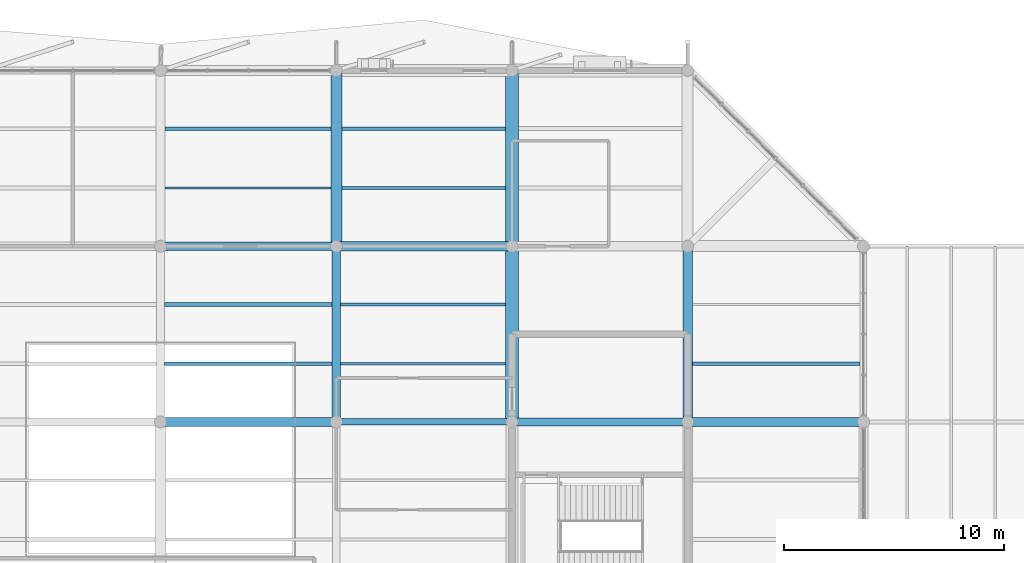
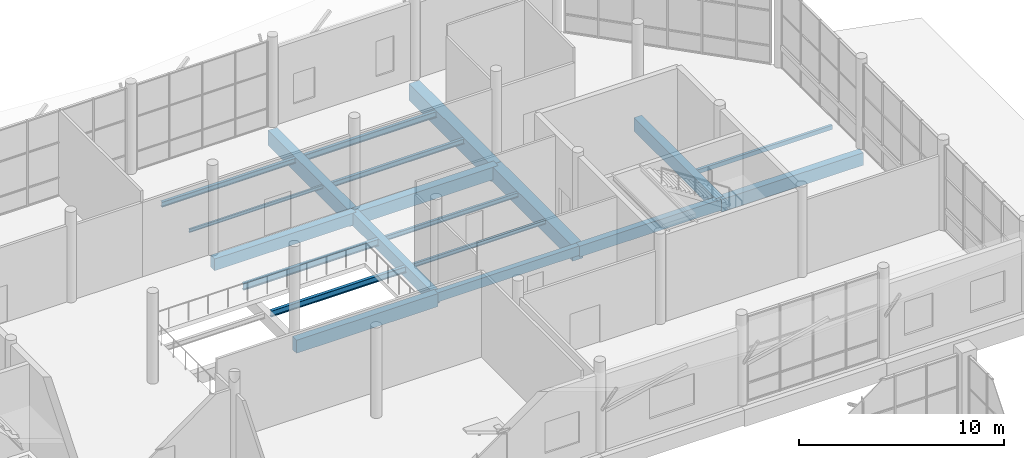
# One storey, part 62 of 122: 20 beams.
"""IFC4 building model written with IfcOpenShell, lengths in metres."""

from ifc_helpers import new_model, si_unit, direction, frame, origin, origin_2d, place, context, subcontext, project, spatial, rectangle, hollow_rectangle, i_section, extrude, material, material_profile, profile_set, type_object, element, save


model = new_model("IFC4")

# Units and contexts
model_context = context("Model", 3, precision=1e-05, world=origin(), true_north=direction((0.0, 1.0)))
body_context = subcontext(model_context, "Body", "Model", "MODEL_VIEW")
ifc_project = project(units=[si_unit("LENGTHUNIT", "METRE"), si_unit("AREAUNIT", "SQUARE_METRE"), si_unit("VOLUMEUNIT", "CUBIC_METRE"), si_unit("PLANEANGLEUNIT", "RADIAN"), si_unit("MASSUNIT", "GRAM", prefix="KILO")], contexts=[model_context])

# Site, building, storey
site_placement = place(None, origin())
site = spatial("IfcSite", under=ifc_project, at=site_placement, CompositionType="ELEMENT")
building_placement = place(site_placement, origin())
building = spatial("IfcBuilding", under=site, at=building_placement, Name="Tenunan Teduh Sports Hall", CompositionType="ELEMENT")
storey_placement = place(building_placement, frame((0.0, 0.0, 5.39990234375)))
storey = spatial("IfcBuildingStorey", under=building, at=storey_placement, Name="L01", CompositionType="ELEMENT", Elevation=5.39990234375)

# Beams
ifc_material_1 = material(Name="Concrete C40/50", Category="concrete")
ifc_material_profile_1 = material_profile(ifc_material_1, rectangle(XDim=0.300048828125, YDim=0.550048828125, at=origin_2d()), Name="RCB 300x550")
ifc_profile_set_1 = profile_set([ifc_material_profile_1], Name="Concrete C40/50")
beam_type_1 = type_object("IfcBeamType", Name="BM-RC-300x550", PredefinedType="BEAM", material=ifc_profile_set_1)
beam_1_placement = place(storey_placement, frame((138.0, 102.0, -0.534912109375), z_axis=(1.0, 0.0, 0.0), x_axis=(0.0, 1.0, 0.0)))
element("IfcBeam", 1, at=beam_1_placement, inside=storey, type_object=beam_type_1, Name="BM-B-02-L01-1152", PredefinedType="BEAM", context=body_context, shape_type="SweptSolid", body=[
    extrude(rectangle(XDim=0.300048828125, YDim=0.550048828125, at=origin_2d()), origin(), (0.0, 0.0, 1.0), 8.0),
])
ifc_material_2 = material(Name="Concrete C40/50", Category="concrete")
ifc_material_profile_2 = material_profile(ifc_material_2, rectangle(XDim=0.35009765625, YDim=0.64990234375, at=origin_2d()), Name="RCB 350x650")
ifc_profile_set_2 = profile_set([ifc_material_profile_2], Name="Concrete C40/50")
beam_type_2 = type_object("IfcBeamType", Name="BM-RC-350x650", PredefinedType="BEAM", material=ifc_profile_set_2)
beam_2_placement = place(storey_placement, frame((146.0, 102.0, -0.5849609375), z_axis=(1.0, 0.0, 0.0), x_axis=(0.0, 1.0, 0.0)))
element("IfcBeam", 2, at=beam_2_placement, inside=storey, type_object=beam_type_2, Name="BM-B-05-L01-1153", PredefinedType="BEAM", context=body_context, shape_type="SweptSolid", body=[
    extrude(rectangle(XDim=0.35009765625, YDim=0.64990234375, at=origin_2d()), origin(), (0.0, 0.0, 1.0), 8.0),
])
ifc_material_3 = material(Name="Concrete C40/50", Category="concrete")
ifc_material_profile_3 = material_profile(ifc_material_3, rectangle(XDim=0.39990234375, YDim=0.699951171875, at=origin_2d()), Name="RCB 400x700")
ifc_profile_set_3 = profile_set([ifc_material_profile_3], Name="Concrete C40/50")
beam_type_3 = type_object("IfcBeamType", Name="BM-RC-400x700", PredefinedType="BEAM", material=ifc_profile_set_3)
beam_3_placement = place(storey_placement, frame((130.0, 110.0, -0.60986328125), z_axis=(1.0, 0.0, 0.0), x_axis=(0.0, 1.0, 0.0)))
element("IfcBeam", 3, at=beam_3_placement, inside=storey, type_object=beam_type_3, Name="BM-B-08-L01-1168", PredefinedType="BEAM", context=body_context, shape_type="SweptSolid", body=[
    extrude(rectangle(XDim=0.39990234375, YDim=0.699951171875, at=origin_2d()), origin(), (0.0, 0.0, 1.0), 8.0),
])
ifc_material_4 = material(Name="Concrete C40/50", Category="concrete")
ifc_material_profile_4 = material_profile(ifc_material_4, rectangle(XDim=0.39990234375, YDim=0.75, at=origin_2d()), Name="RCB 400x750")
ifc_profile_set_4 = profile_set([ifc_material_profile_4], Name="Concrete C40/50")
beam_type_4 = type_object("IfcBeamType", Name="BM-RC-400x750", PredefinedType="BEAM", material=ifc_profile_set_4)
for number, where, z_axis, x_axis, name in (
    (4, (154.0, 102.0, -0.635009765625), (1.0, 0.0, 0.0), (0.0, 1.0, 0.0), "BM-B-09-L01-1154"),
    (5, (138.0, 102.0, -0.635009765625), (0.0, 1.0, 0.0), (-1.0, 0.0, 0.0), "BM-B-09-L01-1283"),
):
    element("IfcBeam", number, at=place(storey_placement, frame(where, z_axis=z_axis, x_axis=x_axis)), inside=storey, type_object=beam_type_4, Name=name, PredefinedType="BEAM", context=body_context, shape_type="SweptSolid", body=[
        extrude(rectangle(XDim=0.39990234375, YDim=0.75, at=origin_2d()), origin(), (0.0, 0.0, 1.0), 8.0),
    ])
ifc_material_5 = material(Name="Concrete C40/50", Category="concrete")
ifc_material_profile_5 = material_profile(ifc_material_5, rectangle(XDim=0.449951171875, YDim=0.75, at=origin_2d()), Name="RCB 450x750")
ifc_profile_set_5 = profile_set([ifc_material_profile_5], Name="Concrete C40/50")
beam_type_5 = type_object("IfcBeamType", Name="BM-RC-450x750", PredefinedType="BEAM", material=ifc_profile_set_5)
beam_4_placement = place(storey_placement, frame((138.0, 110.0, -0.635009765625), z_axis=(1.0, 0.0, 0.0), x_axis=(0.0, 1.0, 0.0)))
element("IfcBeam", 6, at=beam_4_placement, inside=storey, type_object=beam_type_5, Name="BM-B-11-L01-1169", PredefinedType="BEAM", context=body_context, shape_type="SweptSolid", body=[
    extrude(rectangle(XDim=0.449951171875, YDim=0.75, at=origin_2d()), origin(), (0.0, 0.0, 1.0), 8.0),
])
ifc_material_6 = material(Name="Concrete C40/50", Category="concrete")
ifc_material_profile_6 = material_profile(ifc_material_6, rectangle(XDim=0.449951171875, YDim=0.800048828125, at=origin_2d()), Name="RCB 450x800")
ifc_profile_set_6 = profile_set([ifc_material_profile_6], Name="Concrete C40/50")
beam_type_6 = type_object("IfcBeamType", Name="BM-RC-450x800", PredefinedType="BEAM", material=ifc_profile_set_6)
beam_5_placement = place(storey_placement, frame((154.0, 102.0, -0.659912109375), z_axis=(0.0, 1.0, 0.0), x_axis=(-1.0, 0.0, 0.0)))
element("IfcBeam", 7, at=beam_5_placement, inside=storey, type_object=beam_type_6, Name="BM-B-12-L01-1299", PredefinedType="BEAM", context=body_context, shape_type="SweptSolid", body=[
    extrude(rectangle(XDim=0.449951171875, YDim=0.800048828125, at=origin_2d()), origin(), (0.0, 0.0, 1.0), 8.0),
])
ifc_material_7 = material(Name="Concrete C40/50", Category="concrete")
ifc_material_profile_7 = material_profile(ifc_material_7, rectangle(XDim=0.5, YDim=0.89990234375, at=origin_2d()), Name="RCB 500x900")
ifc_profile_set_7 = profile_set([ifc_material_profile_7], Name="Concrete C40/50")
beam_type_7 = type_object("IfcBeamType", Name="BM-RC-500x900", PredefinedType="BEAM", material=ifc_profile_set_7)
beam_6_placement = place(storey_placement, frame((138.0, 110.0, -0.7099609375), z_axis=(0.0, 1.0, 0.0), x_axis=(-1.0, 0.0, 0.0)))
element("IfcBeam", 8, at=beam_6_placement, inside=storey, type_object=beam_type_7, Name="BM-B-15-L01-1284", PredefinedType="BEAM", context=body_context, shape_type="SweptSolid", body=[
    extrude(rectangle(XDim=0.5, YDim=0.89990234375, at=origin_2d()), origin(), (0.0, 0.0, 1.0), 8.0),
])
ifc_material_8 = material(Name="Concrete C40/50", Category="concrete")
ifc_material_profile_8 = material_profile(ifc_material_8, rectangle(XDim=0.60009765625, YDim=1.0, at=origin_2d()), Name="RCB 600x1000")
ifc_profile_set_8 = profile_set([ifc_material_profile_8], Name="Concrete C40/50")
beam_type_8 = type_object("IfcBeamType", Name="BM-RC-600x1000", PredefinedType="BEAM", material=ifc_profile_set_8)
beam_7_placement = place(storey_placement, frame((146.0, 110.0, -0.760009765625), z_axis=(0.0, 1.0, 0.0), x_axis=(-1.0, 0.0, 0.0)))
element("IfcBeam", 9, at=beam_7_placement, inside=storey, type_object=beam_type_8, Name="BM-B-18-L01-1292", PredefinedType="BEAM", context=body_context, shape_type="SweptSolid", body=[
    extrude(rectangle(XDim=0.60009765625, YDim=1.0, at=origin_2d()), origin(), (0.0, 0.0, 1.0), 8.0),
])
ifc_material_9 = material(Name="Concrete C40/50", Category="concrete")
ifc_material_profile_9 = material_profile(ifc_material_9, rectangle(XDim=0.60009765625, YDim=0.89990234375, at=origin_2d()), Name="RCB 600x900")
ifc_profile_set_9 = profile_set([ifc_material_profile_9], Name="Concrete C40/50")
beam_type_9 = type_object("IfcBeamType", Name="BM-RC-600x900", PredefinedType="BEAM", material=ifc_profile_set_9)
beam_8_placement = place(storey_placement, frame((146.0, 102.0, -0.7099609375), z_axis=(0.0, 1.0, 0.0), x_axis=(-1.0, 0.0, 0.0)))
element("IfcBeam", 10, at=beam_8_placement, inside=storey, type_object=beam_type_9, Name="BM-B-17-L01-1291", PredefinedType="BEAM", context=body_context, shape_type="SweptSolid", body=[
    extrude(rectangle(XDim=0.60009765625, YDim=0.89990234375, at=origin_2d()), origin(), (0.0, 0.0, 1.0), 8.0),
])
ifc_material_10 = material(Name="Concrete C40/50", Category="concrete")
ifc_material_profile_10 = material_profile(ifc_material_10, rectangle(XDim=0.39990234375, YDim=0.780029296875, at=origin_2d()), Name="TB 400x780")
ifc_profile_set_10 = profile_set([ifc_material_profile_10], Name="Concrete C40/50")
beam_type_10 = type_object("IfcBeamType", Name="BM-TB-400x780", PredefinedType="T_BEAM", material=ifc_profile_set_10)
beam_9_placement = place(storey_placement, frame((130.0, 102.0, -0.64990234375), z_axis=(1.0, 0.0, 0.0), x_axis=(0.0, 1.0, 0.0)))
element("IfcBeam", 11, at=beam_9_placement, inside=storey, type_object=beam_type_10, Name="BM-TB-02-L01-1151", PredefinedType="T_BEAM", context=body_context, shape_type="SweptSolid", body=[
    extrude(rectangle(XDim=0.39990234375, YDim=0.780029296875, at=origin_2d()), origin(), (0.0, 0.0, 1.0), 8.0),
])
ifc_material_11 = material(Name="Steel S355", Category="steel")
ifc_material_profile_11 = material_profile(ifc_material_11, i_section(OverallWidth=0.10009765625, OverallDepth=0.199951171875, WebThickness=0.005615234375, FlangeThickness=0.008544921875, FilletRadius=0.011962890625, at=origin_2d()), Name="IPE 200")
ifc_profile_set_11 = profile_set([ifc_material_profile_11], Name="Steel S355")
beam_type_11 = type_object("IfcBeamType", Name="JST-IPE200", PredefinedType="JOIST", material=ifc_profile_set_11)
beam_10_placement = place(storey_placement, frame((130.199951171875, 112.64990234375, -0.35986328125), z_axis=(1.0, 0.0, 0.0), x_axis=(0.0, 1.0, 0.0)))
element("IfcBeam", 12, at=beam_10_placement, inside=storey, type_object=beam_type_11, Name="BM-J-01-L01-1424", PredefinedType="JOIST", context=body_context, shape_type="SweptSolid", body=[
    extrude(i_section(OverallWidth=0.10009765625, OverallDepth=0.199951171875, WebThickness=0.005615234375, FlangeThickness=0.008544921875, FilletRadius=0.011962890625, at=origin_2d()), origin(), (0.0, 0.0, 1.0), 7.550048828125),
])
ifc_material_12 = material(Name="Steel S355", Category="steel")
ifc_material_profile_12 = material_profile(ifc_material_12, i_section(OverallWidth=0.1201171875, OverallDepth=0.239990234375, WebThickness=0.006103515625, FlangeThickness=0.009765625, FilletRadius=0.014892578125, at=origin_2d()), Name="IPE 240")
ifc_profile_set_12 = profile_set([ifc_material_profile_12], Name="Steel S355")
beam_type_12 = type_object("IfcBeamType", Name="JST-IPE240", PredefinedType="JOIST", material=ifc_profile_set_12)
beam_11_placement = place(storey_placement, frame((138.199951171875, 104.64990234375, -0.3798828125), z_axis=(1.0, 0.0, 0.0), x_axis=(0.0, 1.0, 0.0)))
element("IfcBeam", 13, at=beam_11_placement, inside=storey, type_object=beam_type_12, Name="BM-J-02-L01-1430", PredefinedType="JOIST", context=body_context, shape_type="SweptSolid", body=[
    extrude(i_section(OverallWidth=0.1201171875, OverallDepth=0.239990234375, WebThickness=0.006103515625, FlangeThickness=0.009765625, FilletRadius=0.014892578125, at=origin_2d()), origin(), (0.0, 0.0, 1.0), 7.5),
])
ifc_material_13 = material(Name="Steel S355", Category="steel")
ifc_material_profile_13 = material_profile(ifc_material_13, i_section(OverallWidth=0.135009765625, OverallDepth=0.27001953125, WebThickness=0.006591796875, FlangeThickness=0.01025390625, FilletRadius=0.014892578125, at=origin_2d()), Name="IPE 270")
ifc_profile_set_13 = profile_set([ifc_material_profile_13], Name="Steel S355")
beam_type_13 = type_object("IfcBeamType", Name="JST-IPE270", PredefinedType="JOIST", material=ifc_profile_set_13)
beam_12_placement = place(storey_placement, frame((138.199951171875, 107.35009765625, -0.39501953125), z_axis=(1.0, 0.0, 0.0), x_axis=(0.0, 1.0, 0.0)))
element("IfcBeam", 14, at=beam_12_placement, inside=storey, type_object=beam_type_13, Name="BM-J-03-L01-1431", PredefinedType="JOIST", context=body_context, shape_type="SweptSolid", body=[
    extrude(i_section(OverallWidth=0.135009765625, OverallDepth=0.27001953125, WebThickness=0.006591796875, FlangeThickness=0.01025390625, FilletRadius=0.014892578125, at=origin_2d()), origin(), (0.0, 0.0, 1.0), 7.5),
])
ifc_material_14 = material(Name="Steel S355", Category="steel")
ifc_material_profile_14 = material_profile(ifc_material_14, i_section(OverallWidth=0.14990234375, OverallDepth=0.300048828125, WebThickness=0.007080078125, FlangeThickness=0.0107421875, FilletRadius=0.014892578125, at=origin_2d()), Name="IPE 300")
ifc_profile_set_14 = profile_set([ifc_material_profile_14], Name="Steel S355")
beam_type_14 = type_object("IfcBeamType", Name="JST-IPE300", PredefinedType="JOIST", material=ifc_profile_set_14)
beam_13_placement = place(storey_placement, frame((138.25, 112.64990234375, -0.409912109375), z_axis=(1.0, 0.0, 0.0), x_axis=(0.0, 1.0, 0.0)))
element("IfcBeam", 15, at=beam_13_placement, inside=storey, type_object=beam_type_14, Name="BM-J-04-L01-1432", PredefinedType="JOIST", context=body_context, shape_type="SweptSolid", body=[
    extrude(i_section(OverallWidth=0.14990234375, OverallDepth=0.300048828125, WebThickness=0.007080078125, FlangeThickness=0.0107421875, FilletRadius=0.014892578125, at=origin_2d()), origin(), (0.0, 0.0, 1.0), 7.449951171875),
])
ifc_material_15 = material(Name="Steel S355", Category="steel")
ifc_material_profile_15 = material_profile(ifc_material_15, i_section(OverallWidth=0.169921875, OverallDepth=0.360107421875, WebThickness=0.008056640625, FlangeThickness=0.0126953125, FilletRadius=0.01806640625, at=origin_2d()), Name="IPE 360")
ifc_profile_set_15 = profile_set([ifc_material_profile_15], Name="Steel S355")
beam_type_15 = type_object("IfcBeamType", Name="JST-IPE360", PredefinedType="JOIST", material=ifc_profile_set_15)
beam_14_placement = place(storey_placement, frame((130.175048828125, 104.64990234375, -0.43994140625), z_axis=(1.0, 0.0, 0.0), x_axis=(0.0, 1.0, 0.0)))
element("IfcBeam", 16, at=beam_14_placement, inside=storey, type_object=beam_type_15, Name="BM-J-05-L01-1422", PredefinedType="JOIST", context=body_context, shape_type="SweptSolid", body=[
    extrude(i_section(OverallWidth=0.169921875, OverallDepth=0.360107421875, WebThickness=0.008056640625, FlangeThickness=0.0126953125, FilletRadius=0.01806640625, at=origin_2d()), origin(), (0.0, 0.0, 1.0), 7.625),
])
beam_15_placement = place(storey_placement, frame((138.25, 115.35009765625, -0.43994140625), z_axis=(1.0, 0.0, 0.0), x_axis=(0.0, 1.0, 0.0)))
element("IfcBeam", 17, at=beam_15_placement, inside=storey, type_object=beam_type_15, Name="BM-J-05-L01-1433", PredefinedType="JOIST", context=body_context, shape_type="SweptSolid", body=[
    extrude(i_section(OverallWidth=0.169921875, OverallDepth=0.360107421875, WebThickness=0.008056640625, FlangeThickness=0.0126953125, FilletRadius=0.01806640625, at=origin_2d()), origin(), (0.0, 0.0, 1.0), 7.449951171875),
])
ifc_material_16 = material(Name="Steel S355", Category="steel")
ifc_material_profile_16 = material_profile(ifc_material_16, i_section(OverallWidth=0.179931640625, OverallDepth=0.39990234375, WebThickness=0.008544921875, FlangeThickness=0.013427734375, FilletRadius=0.02099609375, at=origin_2d()), Name="IPE 400")
ifc_profile_set_16 = profile_set([ifc_material_profile_16], Name="Steel S355")
beam_type_16 = type_object("IfcBeamType", Name="JST-IPE400", PredefinedType="JOIST", material=ifc_profile_set_16)
beam_16_placement = place(storey_placement, frame((130.175048828125, 107.35009765625, -0.4599609375), z_axis=(1.0, 0.0, 0.0), x_axis=(0.0, 1.0, 0.0)))
element("IfcBeam", 18, at=beam_16_placement, inside=storey, type_object=beam_type_16, Name="BM-J-06-L01-1423", PredefinedType="JOIST", context=body_context, shape_type="SweptSolid", body=[
    extrude(i_section(OverallWidth=0.179931640625, OverallDepth=0.39990234375, WebThickness=0.008544921875, FlangeThickness=0.013427734375, FilletRadius=0.02099609375, at=origin_2d()), origin(), (0.0, 0.0, 1.0), 7.625),
])
ifc_material_17 = material(Name="Steel S355", Category="steel")
ifc_material_profile_17 = material_profile(ifc_material_17, hollow_rectangle(XDim=0.14990234375, YDim=0.25, WallThickness=0.010009765625, at=origin_2d()), Name="RHS 250x150x10.0")
ifc_profile_set_17 = profile_set([ifc_material_profile_17], Name="Steel S355")
beam_type_17 = type_object("IfcBeamType", Name="RBM-RHS250", PredefinedType="BEAM", material=ifc_profile_set_17)
beam_17_placement = place(storey_placement, frame((154.22509765625, 104.64990234375, -0.385009765625), z_axis=(1.0, 0.0, 0.0), x_axis=(0.0, 1.0, 0.0)))
element("IfcBeam", 19, at=beam_17_placement, inside=storey, type_object=beam_type_17, Name="Perimeter Ring Beam BM-RB-04-L01-1450", PredefinedType="BEAM", context=body_context, shape_type="SweptSolid", body=[
    extrude(hollow_rectangle(XDim=0.14990234375, YDim=0.25, WallThickness=0.010009765625, at=origin_2d()), origin(), (0.0, 0.0, 1.0), 7.625),
])
ifc_material_18 = material(Name="Steel S355", Category="steel")
ifc_material_profile_18 = material_profile(ifc_material_18, i_section(OverallWidth=0.1650390625, OverallDepth=0.303466796875, WebThickness=0.006103515625, FlangeThickness=0.01025390625, FilletRadius=0.0087890625, at=origin_2d()), Name="UKB 305x165x40")
ifc_profile_set_18 = profile_set([ifc_material_profile_18], Name="Steel S355")
beam_type_18 = type_object("IfcBeamType", Name="SBM-UKB305", PredefinedType="BEAM", material=ifc_profile_set_18)
beam_18_placement = place(storey_placement, frame((130.199951171875, 115.35009765625, -0.41162109375), z_axis=(1.0, 0.0, 0.0), x_axis=(0.0, 1.0, 0.0)))
element("IfcBeam", 20, at=beam_18_placement, inside=storey, type_object=beam_type_18, Name="BM-SB-01-L01-1425", PredefinedType="BEAM", context=body_context, shape_type="SweptSolid", body=[
    extrude(i_section(OverallWidth=0.1650390625, OverallDepth=0.303466796875, WebThickness=0.006103515625, FlangeThickness=0.01025390625, FilletRadius=0.0087890625, at=origin_2d()), origin(), (0.0, 0.0, 1.0), 7.550048828125),
])

save(model, "model.ifc")
